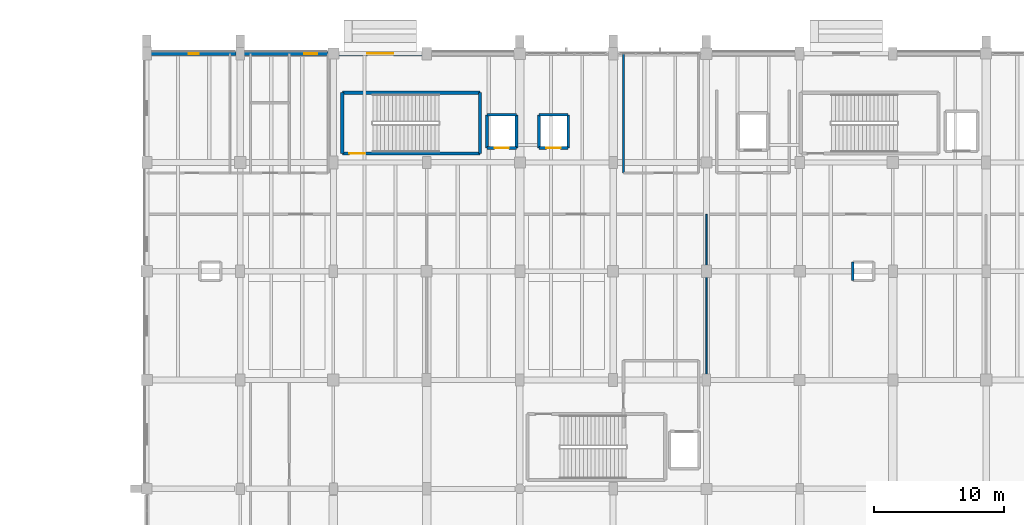
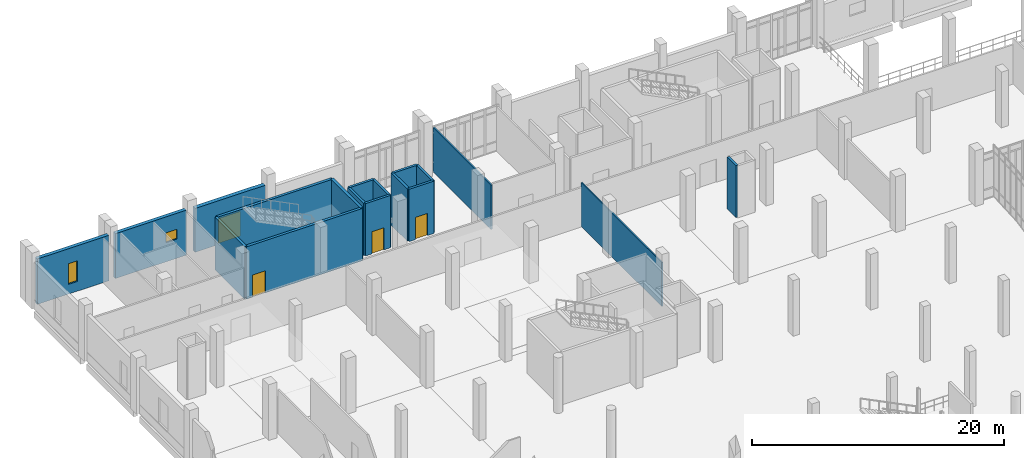
# One storey, part 93 of 110: 18 walls, 4 doors, 2 windows, 6 openings.
"""IFC4 building model written with IfcOpenShell, lengths in metres."""

from ifc_helpers import new_model, si_unit, direction, frame, frame_2d, origin, place, context, subcontext, project, spatial, rectangle, extrude, material, layer, layer_set, type_object, element, fill, save


model = new_model("IFC4")

# Units and contexts
model_context = context("Model", 3, precision=1e-05, world=origin(), true_north=direction((0.0, 1.0)))
body_context = subcontext(model_context, "Body", "Model", "MODEL_VIEW")
ifc_project = project(units=[si_unit("LENGTHUNIT", "METRE"), si_unit("AREAUNIT", "SQUARE_METRE"), si_unit("VOLUMEUNIT", "CUBIC_METRE"), si_unit("PLANEANGLEUNIT", "RADIAN"), si_unit("MASSUNIT", "GRAM", prefix="KILO")], contexts=[model_context])

# Site, building, storey
site_placement = place(None, origin())
site = spatial("IfcSite", under=ifc_project, at=site_placement, CompositionType="ELEMENT")
building_placement = place(site_placement, origin())
building = spatial("IfcBuilding", under=site, at=building_placement, Name="Kalluvel Institute of Natural Sciences", CompositionType="ELEMENT")
storey_placement = place(building_placement, origin())
storey = spatial("IfcBuildingStorey", under=building, at=storey_placement, Name="L00", CompositionType="ELEMENT", Elevation=0.0)

# Wall, opening, door
ifc_material_1 = material(Name="Concrete M40", Category="concrete")
ifc_layer_1 = layer(ifc_material_1, 0.25)
ifc_layer_set_1 = layer_set([ifc_layer_1], Name="Concrete M40")
wall_type_1 = type_object("IfcWallType", Name="WL-CORE-250", PredefinedType="SHEAR", material=ifc_layer_set_1)
wall_1_placement = place(storey_placement, frame((29.0849609375, 120.284912109375, 0.0), z_axis=(0.0, 0.0, 1.0), x_axis=(1.0, 0.0, 0.0)))
wall_1 = element("IfcWall", 1, at=wall_1_placement, inside=storey, type_object=wall_type_1, Name="ST1 L00 core wall S", PredefinedType="SHEAR", context=body_context, shape_type="SweptSolid", body=[
    extrude(rectangle(XDim=10.630126953125, YDim=0.25, at=frame_2d((5.31494140625, 0.0))), origin(), (0.0, 0.0, 1.0), 5.074951171875),
])
opening_1_placement = place(wall_1_placement, frame((0.550048828125, 0.0, 0.0)))
opening_1 = element("IfcOpeningElement", 2, at=opening_1_placement, cuts=wall_1, Name="Opening DS-002", PredefinedType="OPENING", context=body_context, shape_type="SweptSolid", body=[
    extrude(rectangle(XDim=1.199951171875, YDim=2.14990234375, at=frame_2d((0.60009765625, 1.074951171875))), frame((0.0, 0.135009765625, 0.0), z_axis=(0.0, -1.0, 0.0), x_axis=(1.0, 0.0, 0.0)), (0.0, 0.0, 1.0), 0.27001953125),
])
ifc_material_2 = material(Name="Galvanized Fire-Rated Steel", Category="steel")
door_type_1 = type_object("IfcDoorType", Name="DR-ST-1200", OperationType="NOTDEFINED", PredefinedType="DOOR", material=ifc_material_2)
door_1_placement = place(opening_1_placement, origin())
door_1 = element("IfcDoor", 3, at=door_1_placement, inside=storey, type_object=door_type_1, Name="ST1 L00 protected stair door DS-002", OperationType="SINGLE_SWING_RIGHT", OverallHeight=2.14990234375, OverallWidth=1.199951171875, PredefinedType="DOOR", context=body_context, shape_type="SweptSolid", body=[
    extrude(rectangle(XDim=1.199951171875, YDim=2.14990234375, at=frame_2d((0.60009765625, 1.074951171875))), frame((0.0, 0.02490234375, 0.0), z_axis=(0.0, -1.0, 0.0), x_axis=(1.0, 0.0, 0.0)), (0.0, 0.0, 1.0), 0.050048828125),
])
fill(opening_1, door_1)

# Walls
wall_2_placement = place(storey_placement, frame((39.715087890625, 120.284912109375, 0.0), z_axis=(0.0, 0.0, 1.0), x_axis=(0.0, 1.0, 0.0)))
element("IfcWall", 4, at=wall_2_placement, inside=storey, type_object=wall_type_1, Name="ST1 L00 core wall E", PredefinedType="SHEAR", context=body_context, shape_type="SweptSolid", body=[
    extrude(rectangle(XDim=4.7001953125, YDim=0.25, at=frame_2d((2.35009765625, 0.0))), origin(), (0.0, 0.0, 1.0), 5.074951171875),
])
wall_3_placement = place(storey_placement, frame((39.715087890625, 124.985107421875, 0.0), z_axis=(0.0, 0.0, 1.0), x_axis=(-1.0, 0.0, 0.0)))
element("IfcWall", 5, at=wall_3_placement, inside=storey, type_object=wall_type_1, Name="ST1 L00 core wall N", PredefinedType="SHEAR", context=body_context, shape_type="SweptSolid", body=[
    extrude(rectangle(XDim=10.630126953125, YDim=0.25, at=frame_2d((5.31494140625, 0.0))), origin(), (0.0, 0.0, 1.0), 5.074951171875),
])
wall_4_placement = place(storey_placement, frame((29.0849609375, 124.985107421875, 0.0), z_axis=(0.0, 0.0, 1.0), x_axis=(0.0, -1.0, 0.0)))
element("IfcWall", 6, at=wall_4_placement, inside=storey, type_object=wall_type_1, Name="ST1 L00 core wall W", PredefinedType="SHEAR", context=body_context, shape_type="SweptSolid", body=[
    extrude(rectangle(XDim=4.7001953125, YDim=0.25, at=frame_2d((2.35009765625, 0.0))), origin(), (0.0, 0.0, 1.0), 5.074951171875),
])

# Wall, opening, window
ifc_material_3 = material(Name="Sadarahalli Grey Granite Ashlar Concrete M40", Category="masonry")
ifc_layer_2 = layer(ifc_material_3, 0.320068359375)
ifc_layer_set_2 = layer_set([ifc_layer_2], Name="Sadarahalli Grey Granite Ashlar Concrete M40")
wall_type_2 = type_object("IfcWallType", Name="WL-EXT-320", PredefinedType="SOLIDWALL", material=ifc_layer_set_2)
wall_5_placement = place(storey_placement, frame((14.330078125, 128.0, 0.0), z_axis=(0.0, 0.0, 1.0), x_axis=(1.0, 0.0, 0.0)))
wall_5 = element("IfcWall", 7, at=wall_5_placement, inside=storey, type_object=wall_type_2, Name="L00 Sadarahalli granite exterior wall WL-EXT-L00-0001", PredefinedType="SOLIDWALL", context=body_context, shape_type="SweptSolid", body=[
    extrude(rectangle(XDim=6.56494140625, YDim=0.320068359375, at=frame_2d((3.282470703125, 0.0))), origin(), (0.0, 0.0, 1.0), 4.405029296875),
])
opening_2_placement = place(wall_5_placement, frame((2.882568359375, 0.0, 0.949951171875)))
opening_2 = element("IfcOpeningElement", 8, at=opening_2_placement, cuts=wall_5, Name="Opening W-14", PredefinedType="OPENING", context=body_context, shape_type="SweptSolid", body=[
    extrude(rectangle(XDim=0.800048828125, YDim=2.0, at=frame_2d((0.39990234375, 1.0))), frame((0.0, 0.169921875, 0.0), z_axis=(0.0, -1.0, 0.0), x_axis=(1.0, 0.0, 0.0)), (0.0, 0.0, 1.0), 0.340087890625),
])
ifc_material_4 = material(Name="Solar-Control Low-E Laminated Glass", Category="glass")
window_type_1 = type_object("IfcWindowType", Name="WN-LAN-080x200", PartitioningType="SINGLE_PANEL", PredefinedType="WINDOW", material=ifc_material_4)
window_1_placement = place(opening_2_placement, origin())
window_1 = element("IfcWindow", 9, at=window_1_placement, inside=storey, type_object=window_type_1, Name="L00 Gothic lancet window 1", OverallHeight=2.0, OverallWidth=0.800048828125, PartitioningType="SINGLE_PANEL", PredefinedType="WINDOW", context=body_context, shape_type="SweptSolid", body=[
    extrude(rectangle(XDim=0.800048828125, YDim=2.0, at=frame_2d((0.39990234375, 1.0))), frame((0.0, 0.030029296875, 0.0), z_axis=(0.0, -1.0, 0.0), x_axis=(1.0, 0.0, 0.0)), (0.0, 0.0, 1.0), 0.06005859375),
])
fill(opening_2, window_1)

wall_6_placement = place(storey_placement, frame((21.5048828125, 128.0, 0.0), z_axis=(0.0, 0.0, 1.0), x_axis=(1.0, 0.0, 0.0)))
wall_6 = element("IfcWall", 10, at=wall_6_placement, inside=storey, type_object=wall_type_2, Name="L00 Sadarahalli granite exterior wall WL-EXT-L00-0002", PredefinedType="SOLIDWALL", context=body_context, shape_type="SweptSolid", body=[
    extrude(rectangle(XDim=6.490234375, YDim=0.320068359375, at=frame_2d((3.2451171875, 0.0))), origin(), (0.0, 0.0, 1.0), 4.35498046875),
])
opening_3_placement = place(wall_6_placement, frame((4.64990234375, 0.0, 1.85009765625)))
opening_3 = element("IfcOpeningElement", 11, at=opening_3_placement, cuts=wall_6, Name="Opening W-23", PredefinedType="OPENING", context=body_context, shape_type="SweptSolid", body=[
    extrude(rectangle(XDim=1.0, YDim=0.949951171875, at=frame_2d((0.5, 0.47509765625))), frame((0.0, 0.169921875, 0.0), z_axis=(0.0, -1.0, 0.0), x_axis=(1.0, 0.0, 0.0)), (0.0, 0.0, 1.0), 0.340087890625),
])
window_type_2 = type_object("IfcWindowType", Name="WN-HIGH-100x095", PartitioningType="SINGLE_PANEL", PredefinedType="WINDOW", material=ifc_material_4)
window_2_placement = place(opening_3_placement, origin())
window_2 = element("IfcWindow", 12, at=window_2_placement, inside=storey, type_object=window_type_2, Name="L00 Gothic lancet window 2", OverallHeight=0.949951171875, OverallWidth=1.0, PartitioningType="SINGLE_PANEL", PredefinedType="WINDOW", context=body_context, shape_type="SweptSolid", body=[
    extrude(rectangle(XDim=1.0, YDim=0.949951171875, at=frame_2d((0.5, 0.47509765625))), frame((0.0, 0.030029296875, 0.0), z_axis=(0.0, -1.0, 0.0), x_axis=(1.0, 0.0, 0.0)), (0.0, 0.0, 1.0), 0.06005859375),
])
fill(opening_3, window_2)

# Wall, opening, door
ifc_layer_3 = layer(ifc_material_3, 0.360107421875)
ifc_layer_set_3 = layer_set([ifc_layer_3], Name="Sadarahalli Grey Granite Ashlar Concrete M40")
wall_type_3 = type_object("IfcWallType", Name="WL-EXT-360", PredefinedType="SOLIDWALL", material=ifc_layer_set_3)
wall_7_placement = place(storey_placement, frame((28.804931640625, 128.0, 0.0), z_axis=(0.0, 0.0, 1.0), x_axis=(1.0, 0.0, 0.0)))
wall_7 = element("IfcWall", 13, at=wall_7_placement, inside=storey, type_object=wall_type_3, Name="L00 Sadarahalli granite exterior wall WL-EXT-L00-0003", PredefinedType="SOLIDWALL", context=body_context, shape_type="SweptSolid", body=[
    extrude(rectangle(XDim=6.440185546875, YDim=0.360107421875, at=frame_2d((3.22021484375, 0.0))), origin(), (0.0, 0.0, 1.0), 4.2548828125),
])
opening_4_placement = place(wall_7_placement, frame((2.219970703125, 0.0, 0.0)))
opening_4 = element("IfcOpeningElement", 14, at=opening_4_placement, cuts=wall_7, Name="Opening E1", PredefinedType="OPENING", context=body_context, shape_type="SweptSolid", body=[
    extrude(rectangle(XDim=2.0, YDim=2.39990234375, at=frame_2d((1.0, 1.199951171875))), frame((0.0, 0.18994140625, 0.0), z_axis=(0.0, -1.0, 0.0), x_axis=(1.0, 0.0, 0.0)), (0.0, 0.0, 1.0), 0.380126953125),
])
ifc_material_5 = material(Name="Aluminium AW-6063 T6", Category="aluminium")
door_type_2 = type_object("IfcDoorType", Name="DR-EXT-2000", OperationType="NOTDEFINED", PredefinedType="DOOR", material=ifc_material_5)
door_2_placement = place(opening_4_placement, origin())
door_2 = element("IfcDoor", 15, at=door_2_placement, inside=storey, type_object=door_type_2, Name="Pedestrian exit door E1", OperationType="DOUBLE_DOOR_SINGLE_SWING", OverallHeight=2.39990234375, OverallWidth=2.0, PredefinedType="DOOR", context=body_context, shape_type="SweptSolid", body=[
    extrude(rectangle(XDim=2.0, YDim=2.39990234375, at=frame_2d((1.0, 1.199951171875))), frame((0.0, 0.02490234375, 0.0), z_axis=(0.0, -1.0, 0.0), x_axis=(1.0, 0.0, 0.0)), (0.0, 0.0, 1.0), 0.050048828125),
])
fill(opening_4, door_2)

# Walls
ifc_material_6 = material(Name="Acoustic Gypsum Twin-Stud Partition", Category="gypsum")
ifc_layer_4 = layer(ifc_material_6, 0.1201171875)
ifc_layer_set_4 = layer_set([ifc_layer_4], Name="Acoustic Gypsum Twin-Stud Partition")
wall_type_4 = type_object("IfcWallType", Name="WL-PART-120", PredefinedType="PARTITIONING", material=ifc_layer_set_4)
wall_8_placement = place(storey_placement, frame((57.199951171875, 102.800048828125, 0.0), z_axis=(0.0, 0.0, 1.0), x_axis=(0.0, 1.0, 0.0)))
element("IfcWall", 16, at=wall_8_placement, inside=storey, type_object=wall_type_4, Name="L00 interior partition wall WL-INT-L00-0044", PredefinedType="PARTITIONING", context=body_context, shape_type="SweptSolid", body=[
    extrude(rectangle(XDim=12.800048828125, YDim=0.1201171875, at=frame_2d((6.39990234375, 0.0))), origin(), (0.0, 0.0, 1.0), 4.260009765625),
])
ifc_layer_5 = layer(ifc_material_6, 0.139892578125)
ifc_layer_set_5 = layer_set([ifc_layer_5], Name="Acoustic Gypsum Twin-Stud Partition")
wall_type_5 = type_object("IfcWallType", Name="WL-PART-140", PredefinedType="PARTITIONING", material=ifc_layer_set_5)
wall_9_placement = place(storey_placement, frame((50.800048828125, 118.800048828125, 0.0), z_axis=(0.0, 0.0, 1.0), x_axis=(0.0, 1.0, 0.0)))
element("IfcWall", 17, at=wall_9_placement, inside=storey, type_object=wall_type_5, Name="L00 interior partition wall WL-INT-L00-0040", PredefinedType="PARTITIONING", context=body_context, shape_type="SweptSolid", body=[
    extrude(rectangle(XDim=9.199951171875, YDim=0.139892578125, at=frame_2d((4.60009765625, 0.0))), origin(), (0.0, 0.0, 1.0), 4.31005859375),
])
ifc_layer_6 = layer(ifc_material_1, 0.199951171875)
ifc_layer_set_6 = layer_set([ifc_layer_6], Name="Concrete M40")
wall_type_6 = type_object("IfcWallType", Name="WL-RISER-200", PredefinedType="SHEAR", material=ifc_layer_set_6)
wall_10_placement = place(storey_placement, frame((68.5, 111.89990234375, 0.0), z_axis=(0.0, 0.0, 1.0), x_axis=(0.0, -1.0, 0.0)))
element("IfcWall", 18, at=wall_10_placement, inside=storey, type_object=wall_type_6, Name="RS-WET-E L00 service riser enclosure W", PredefinedType="SHEAR", context=body_context, shape_type="SweptSolid", body=[
    extrude(rectangle(XDim=1.39990234375, YDim=0.199951171875, at=frame_2d((0.699951171875, 0.0))), origin(), (0.0, 0.0, 1.0), 5.0400390625),
])

# Wall, opening, door
ifc_layer_7 = layer(ifc_material_1, 0.219970703125)
ifc_layer_set_7 = layer_set([ifc_layer_7], Name="Concrete M40")
wall_type_7 = type_object("IfcWallType", Name="WL-SHAFT-220", PredefinedType="SHEAR", material=ifc_layer_set_7)
wall_11_placement = place(storey_placement, frame((40.27001953125, 120.719970703125, 0.0), z_axis=(0.0, 0.0, 1.0), x_axis=(1.0, 0.0, 0.0)))
wall_11 = element("IfcWall", 19, at=wall_11_placement, inside=storey, type_object=wall_type_7, Name="LF1 L00 lift shaft wall", PredefinedType="SHEAR", context=body_context, shape_type="SweptSolid", body=[
    extrude(rectangle(XDim=2.260009765625, YDim=0.219970703125, at=frame_2d((1.1298828125, 0.0))), origin(), (0.0, 0.0, 1.0), 5.074951171875),
])
opening_5_placement = place(wall_11_placement, frame((0.580078125, 0.0, 0.0)))
opening_5 = element("IfcOpeningElement", 20, at=opening_5_placement, cuts=wall_11, Name="Opening LD-002", PredefinedType="OPENING", context=body_context, shape_type="SweptSolid", body=[
    extrude(rectangle(XDim=1.10009765625, YDim=2.14990234375, at=frame_2d((0.550048828125, 1.074951171875))), frame((0.0, 0.119873046875, 0.0), z_axis=(0.0, -1.0, 0.0), x_axis=(1.0, 0.0, 0.0)), (0.0, 0.0, 1.0), 0.239990234375),
])
door_type_3 = type_object("IfcDoorType", Name="DR-LD-1100", OperationType="NOTDEFINED", PredefinedType="DOOR", material=ifc_material_2)
door_3_placement = place(opening_5_placement, origin())
door_3 = element("IfcDoor", 21, at=door_3_placement, inside=storey, type_object=door_type_3, Name="LF1 L00 sliding lift landing door LD-002", OperationType="DOUBLE_DOOR_SLIDING", OverallHeight=2.14990234375, OverallWidth=1.10009765625, PredefinedType="DOOR", context=body_context, shape_type="SweptSolid", body=[
    extrude(rectangle(XDim=1.10009765625, YDim=2.14990234375, at=frame_2d((0.550048828125, 1.074951171875))), frame((0.0, 0.02490234375, 0.0), z_axis=(0.0, -1.0, 0.0), x_axis=(1.0, 0.0, 0.0)), (0.0, 0.0, 1.0), 0.050048828125),
])
fill(opening_5, door_3)

# Walls
wall_12_placement = place(storey_placement, frame((42.530029296875, 120.719970703125, 0.0), z_axis=(0.0, 0.0, 1.0), x_axis=(0.0, 1.0, 0.0)))
element("IfcWall", 22, at=wall_12_placement, inside=storey, type_object=wall_type_7, Name="LF1 L00 lift shaft wall", PredefinedType="SHEAR", context=body_context, shape_type="SweptSolid", body=[
    extrude(rectangle(XDim=2.56005859375, YDim=0.219970703125, at=frame_2d((1.280029296875, 0.0))), origin(), (0.0, 0.0, 1.0), 5.074951171875),
])
wall_13_placement = place(storey_placement, frame((42.530029296875, 123.280029296875, 0.0), z_axis=(0.0, 0.0, 1.0), x_axis=(-1.0, 0.0, 0.0)))
element("IfcWall", 23, at=wall_13_placement, inside=storey, type_object=wall_type_7, Name="LF1 L00 lift shaft wall", PredefinedType="SHEAR", context=body_context, shape_type="SweptSolid", body=[
    extrude(rectangle(XDim=2.260009765625, YDim=0.219970703125, at=frame_2d((1.1298828125, 0.0))), origin(), (0.0, 0.0, 1.0), 5.074951171875),
])
wall_14_placement = place(storey_placement, frame((40.27001953125, 123.280029296875, 0.0), z_axis=(0.0, 0.0, 1.0), x_axis=(0.0, -1.0, 0.0)))
element("IfcWall", 24, at=wall_14_placement, inside=storey, type_object=wall_type_7, Name="LF1 L00 lift shaft wall", PredefinedType="SHEAR", context=body_context, shape_type="SweptSolid", body=[
    extrude(rectangle(XDim=2.56005859375, YDim=0.219970703125, at=frame_2d((1.280029296875, 0.0))), origin(), (0.0, 0.0, 1.0), 5.074951171875),
])

# Wall, opening, door
wall_15_placement = place(storey_placement, frame((44.27001953125, 120.719970703125, 0.0), z_axis=(0.0, 0.0, 1.0), x_axis=(1.0, 0.0, 0.0)))
wall_15 = element("IfcWall", 25, at=wall_15_placement, inside=storey, type_object=wall_type_7, Name="LF2 L00 lift shaft wall", PredefinedType="SHEAR", context=body_context, shape_type="SweptSolid", body=[
    extrude(rectangle(XDim=2.260009765625, YDim=0.219970703125, at=frame_2d((1.1298828125, 0.0))), origin(), (0.0, 0.0, 1.0), 5.074951171875),
])
opening_6_placement = place(wall_15_placement, frame((0.580078125, 0.0, 0.0)))
opening_6 = element("IfcOpeningElement", 26, at=opening_6_placement, cuts=wall_15, Name="Opening LD-012", PredefinedType="OPENING", context=body_context, shape_type="SweptSolid", body=[
    extrude(rectangle(XDim=1.10009765625, YDim=2.14990234375, at=frame_2d((0.550048828125, 1.074951171875))), frame((0.0, 0.119873046875, 0.0), z_axis=(0.0, -1.0, 0.0), x_axis=(1.0, 0.0, 0.0)), (0.0, 0.0, 1.0), 0.239990234375),
])
door_4_placement = place(opening_6_placement, origin())
door_4 = element("IfcDoor", 27, at=door_4_placement, inside=storey, type_object=door_type_3, Name="LF2 L00 sliding lift landing door LD-012", OperationType="DOUBLE_DOOR_SLIDING", OverallHeight=2.14990234375, OverallWidth=1.10009765625, PredefinedType="DOOR", context=body_context, shape_type="SweptSolid", body=[
    extrude(rectangle(XDim=1.10009765625, YDim=2.14990234375, at=frame_2d((0.550048828125, 1.074951171875))), frame((0.0, 0.02490234375, 0.0), z_axis=(0.0, -1.0, 0.0), x_axis=(1.0, 0.0, 0.0)), (0.0, 0.0, 1.0), 0.050048828125),
])
fill(opening_6, door_4)

# Walls
wall_16_placement = place(storey_placement, frame((46.530029296875, 120.719970703125, 0.0), z_axis=(0.0, 0.0, 1.0), x_axis=(0.0, 1.0, 0.0)))
element("IfcWall", 28, at=wall_16_placement, inside=storey, type_object=wall_type_7, Name="LF2 L00 lift shaft wall", PredefinedType="SHEAR", context=body_context, shape_type="SweptSolid", body=[
    extrude(rectangle(XDim=2.56005859375, YDim=0.219970703125, at=frame_2d((1.280029296875, 0.0))), origin(), (0.0, 0.0, 1.0), 5.074951171875),
])
wall_17_placement = place(storey_placement, frame((46.530029296875, 123.280029296875, 0.0), z_axis=(0.0, 0.0, 1.0), x_axis=(-1.0, 0.0, 0.0)))
element("IfcWall", 29, at=wall_17_placement, inside=storey, type_object=wall_type_7, Name="LF2 L00 lift shaft wall", PredefinedType="SHEAR", context=body_context, shape_type="SweptSolid", body=[
    extrude(rectangle(XDim=2.260009765625, YDim=0.219970703125, at=frame_2d((1.1298828125, 0.0))), origin(), (0.0, 0.0, 1.0), 5.074951171875),
])
wall_18_placement = place(storey_placement, frame((44.27001953125, 123.280029296875, 0.0), z_axis=(0.0, 0.0, 1.0), x_axis=(0.0, -1.0, 0.0)))
element("IfcWall", 30, at=wall_18_placement, inside=storey, type_object=wall_type_7, Name="LF2 L00 lift shaft wall", PredefinedType="SHEAR", context=body_context, shape_type="SweptSolid", body=[
    extrude(rectangle(XDim=2.56005859375, YDim=0.219970703125, at=frame_2d((1.280029296875, 0.0))), origin(), (0.0, 0.0, 1.0), 5.074951171875),
])

save(model, "model.ifc")
